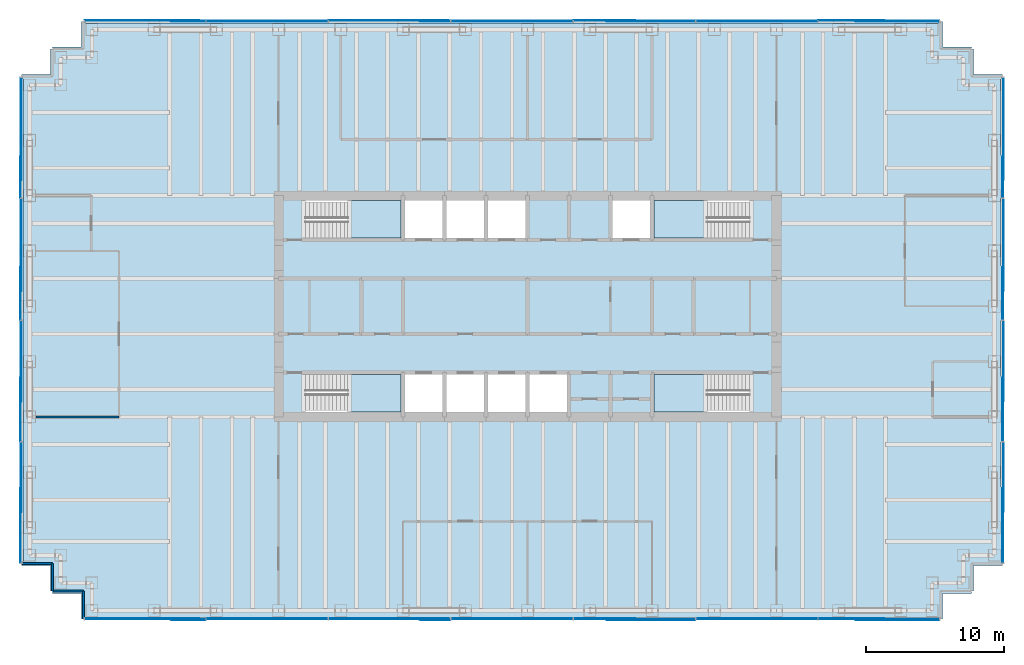
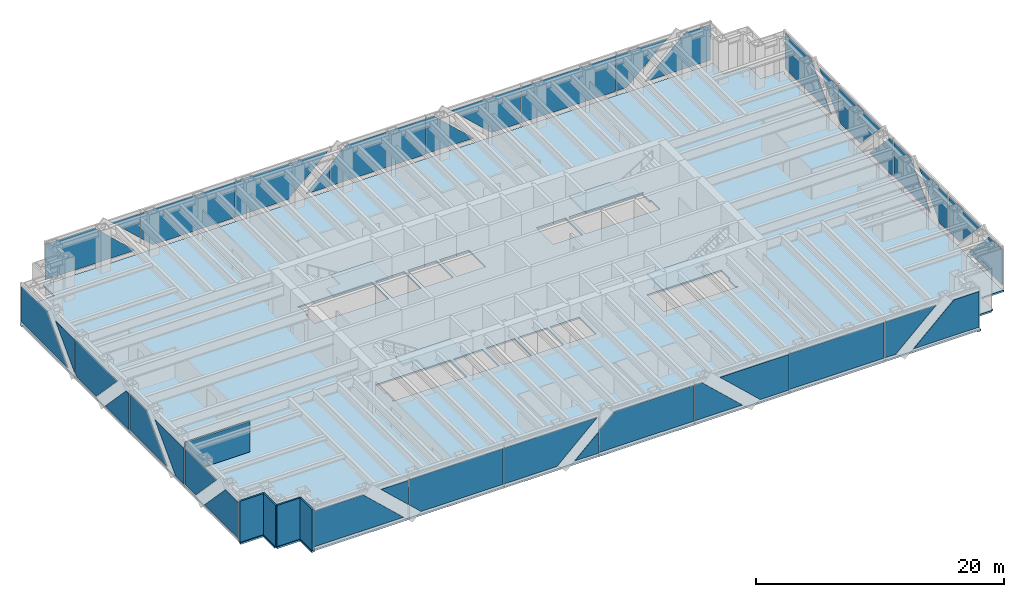
# One storey, part 10 of 15: 38 plates, 5 slabs, 5 walls, 8 elements without a shape of their own.
"""IFC4 building model written with IfcOpenShell, lengths in metres."""

from ifc_helpers import new_model, si_unit, direction, frame, frame_2d, origin, origin_2d, place, context, subcontext, project, spatial, polyline, rectangle, outline, extrude, material, layer, layer_set, type_object, element, aggregate, save


model = new_model("IFC4")

# Units and contexts
model_context = context("Model", 3, precision=1e-05, world=origin(), true_north=direction((0.0, 1.0)))
body_context = subcontext(model_context, "Body", "Model", "MODEL_VIEW")
ifc_project = project(units=[si_unit("LENGTHUNIT", "METRE"), si_unit("AREAUNIT", "SQUARE_METRE"), si_unit("VOLUMEUNIT", "CUBIC_METRE"), si_unit("PLANEANGLEUNIT", "RADIAN"), si_unit("MASSUNIT", "GRAM", prefix="KILO")], contexts=[model_context])

# Site, building, storey
site_placement = place(None, origin())
site = spatial("IfcSite", under=ifc_project, at=site_placement, CompositionType="ELEMENT")
building_placement = place(site_placement, origin())
building = spatial("IfcBuilding", under=site, at=building_placement, Name="Rheinbord Bourse Tower", CompositionType="ELEMENT")
storey_placement = place(building_placement, frame((0.0, 0.0, 325.699951171875)))
storey = spatial("IfcBuildingStorey", under=building, at=storey_placement, Name="L74", CompositionType="ELEMENT", Elevation=325.699951171875)

# Slab
ifc_material_1 = material(Name="Concrete C30/37", Category="concrete")
ifc_layer_1 = layer(ifc_material_1, 0.159912109375)
ifc_layer_set_1 = layer_set([ifc_layer_1], Name="COMPOSITE FLOOR SLAB 160")
slab_type_1 = type_object("IfcSlabType", Name="COMPOSITE FLOOR SLAB 160", PredefinedType="FLOOR", material=ifc_layer_set_1)
slab_1_placement = place(storey_placement, frame((0.0, 0.0, -0.159912109375)))
element("IfcSlab", 1, at=slab_1_placement, inside=storey, type_object=slab_type_1, Name="Floor slab L74", PredefinedType="FLOOR", context=body_context, shape_type="SweptSolid", body=[
    extrude(outline(polyline([(1.64990234375, 3.39990234375), (1.5, 3.39990234375), (1.5, 5.25), (-0.60009765625, 5.25), (-0.60009765625, 5.550048828125), (-0.5, 5.550048828125), (-0.5, 40.449951171875), (-0.60009765625, 40.449951171875), (-0.60009765625, 40.75), (1.5, 40.75), (1.5, 42.60009765625), (1.64990234375, 42.60009765625), (1.64990234375, 42.75), (3.75, 42.75), (3.75, 44.60009765625), (4.050048828125, 44.60009765625), (4.050048828125, 44.5), (65.699951171875, 44.5), (65.699951171875, 44.60009765625), (66.0, 44.60009765625), (66.0, 42.75), (68.10009765625, 42.75), (68.10009765625, 42.60009765625), (68.25, 42.60009765625), (68.25, 40.75), (70.35009765625, 40.75), (70.35009765625, 40.449951171875), (70.25, 40.449951171875), (70.25, 5.550048828125), (70.35009765625, 5.550048828125), (70.35009765625, 5.25), (68.25, 5.25), (68.25, 3.39990234375), (68.10009765625, 3.39990234375), (68.10009765625, 3.25), (66.0, 3.25), (66.0, 1.39990234375), (65.699951171875, 1.39990234375), (65.699951171875, 1.5), (4.050048828125, 1.5), (4.050048828125, 1.39990234375), (3.75, 1.39990234375), (3.75, 3.25), (1.64990234375, 3.25), (1.64990234375, 3.39990234375)]), holes=[polyline([(19.949951171875, 19.050048828125), (26.85009765625, 19.050048828125), (26.85009765625, 16.35009765625), (19.949951171875, 16.35009765625), (19.949951171875, 16.449951171875), (20.10009765625, 16.449951171875), (20.10009765625, 17.64990234375), (19.949951171875, 17.64990234375), (19.949951171875, 19.050048828125)]), polyline([(19.949951171875, 31.64990234375), (26.85009765625, 31.64990234375), (26.85009765625, 28.949951171875), (19.949951171875, 28.949951171875), (19.949951171875, 30.35009765625), (20.10009765625, 30.35009765625), (20.10009765625, 31.550048828125), (19.949951171875, 31.550048828125), (19.949951171875, 31.64990234375)]), polyline([(52.050048828125, 16.35009765625), (45.14990234375, 16.35009765625), (45.14990234375, 19.050048828125), (52.050048828125, 19.050048828125), (52.050048828125, 17.64990234375), (51.89990234375, 17.64990234375), (51.89990234375, 16.449951171875), (52.050048828125, 16.449951171875), (52.050048828125, 16.35009765625)]), polyline([(52.050048828125, 28.949951171875), (45.14990234375, 28.949951171875), (45.14990234375, 31.64990234375), (52.050048828125, 31.64990234375), (52.050048828125, 31.550048828125), (51.89990234375, 31.550048828125), (51.89990234375, 30.35009765625), (52.050048828125, 30.35009765625), (52.050048828125, 28.949951171875)]), polyline([(27.14990234375, 16.35009765625), (27.14990234375, 19.050048828125), (29.85009765625, 19.050048828125), (29.85009765625, 16.35009765625), (27.14990234375, 16.35009765625)]), polyline([(27.14990234375, 28.949951171875), (27.14990234375, 31.64990234375), (29.85009765625, 31.64990234375), (29.85009765625, 28.949951171875), (27.14990234375, 28.949951171875)]), polyline([(30.14990234375, 16.35009765625), (30.14990234375, 19.050048828125), (32.85009765625, 19.050048828125), (32.85009765625, 16.35009765625), (30.14990234375, 16.35009765625)]), polyline([(30.14990234375, 28.949951171875), (30.14990234375, 31.64990234375), (32.85009765625, 31.64990234375), (32.85009765625, 28.949951171875), (30.14990234375, 28.949951171875)]), polyline([(33.14990234375, 16.35009765625), (33.14990234375, 19.050048828125), (35.85009765625, 19.050048828125), (35.85009765625, 16.35009765625), (33.14990234375, 16.35009765625)]), polyline([(33.14990234375, 28.949951171875), (33.14990234375, 31.64990234375), (35.85009765625, 31.64990234375), (35.85009765625, 28.949951171875), (33.14990234375, 28.949951171875)]), polyline([(36.14990234375, 16.35009765625), (36.14990234375, 19.050048828125), (38.85009765625, 19.050048828125), (38.85009765625, 16.35009765625), (36.14990234375, 16.35009765625)]), polyline([(42.14990234375, 28.949951171875), (42.14990234375, 31.64990234375), (44.85009765625, 31.64990234375), (44.85009765625, 28.949951171875), (42.14990234375, 28.949951171875)])]), origin(), (0.0, 0.0, 1.0), 0.159912109375),
])

# Curtain wall, plates
ifc_material_2 = material(Name="Dark glass and black aluminium", Category="aluminium")
curtain_wall_type = type_object("IfcCurtainWallType", Name="CW3 DARK GLASS CURTAIN WALL", PredefinedType="USERDEFINED", material=ifc_material_2)
curtain_wall_1_placement = place(storey_placement, origin())
curtain_wall_1 = element("IfcCurtainWall", 2, at=curtain_wall_1_placement, inside=storey, type_object=curtain_wall_type, Name="Curtain wall CW3 S L74", ObjectType="UNITISED CURTAIN WALL", PredefinedType="USERDEFINED")
ifc_material_3 = material(Name="Dark tinted triple insulating glass", Category="glass")
ifc_layer_2 = layer(ifc_material_3, 0.055908203125)
ifc_layer_set_2 = layer_set([ifc_layer_2], Name="CW3 DARK GLASS PANEL")
plate_type = type_object("IfcPlateType", Name="CW3 DARK GLASS PANEL", PredefinedType="CURTAIN_PANEL", material=ifc_layer_set_2)
plate_1_placement = place(storey_placement, frame((52.574951171875, 1.39990234375, 0.35009765625), z_axis=(0.0, 0.0, 1.0), x_axis=(1.0, 0.0, 0.0)))
plate_1 = element("IfcPlate", 3, at=plate_1_placement, type_object=plate_type, Name="CW3 panel 6.1", PredefinedType="CURTAIN_PANEL", context=body_context, shape_type="SweptSolid", body=[
    extrude(rectangle(XDim=8.784912109375, YDim=0.055908203125, at=origin_2d()), origin(), (0.0, 0.0, 1.0), 3.5),
])
plate_2_placement = place(storey_placement, frame((3.965087890625, 1.3720703125, 0.35009765625), z_axis=(0.0, 1.0, 0.0), x_axis=(0.0, 0.0, 1.0)))
plate_2 = element("IfcPlate", 4, at=plate_2_placement, type_object=plate_type, Name="CW3 glass facet 1", PredefinedType="CURTAIN_PANEL", context=body_context, shape_type="SweptSolid", body=[
    extrude(outline(polyline([(0.0, 0.0), (3.5, 0.0), (3.5, 4.597900390625), (0.0, 8.347900390625), (0.0, 0.0)])), origin(), (0.0, 0.0, 1.0), 0.055908203125),
])
plate_3_placement = place(storey_placement, frame((12.717041015625, 1.31103515625, 3.85009765625), z_axis=(0.0, 1.0, 0.0), x_axis=(0.0, 0.0, -1.0)))
plate_3 = element("IfcPlate", 5, at=plate_3_placement, type_object=plate_type, Name="CW3 glass facet 2", PredefinedType="CURTAIN_PANEL", context=body_context, shape_type="SweptSolid", body=[
    extrude(outline(polyline([(0.0, 0.0), (2.362060546875, 0.0), (0.0, 2.530029296875), (0.0, 0.0)])), origin(), (0.0, 0.0, 1.0), 0.055908203125),
])
plate_4_placement = place(storey_placement, frame((12.782958984375, 1.3720703125, 3.85009765625), z_axis=(0.0, 1.0, 0.0), x_axis=(1.0, 0.0, 0.0)))
plate_4 = element("IfcPlate", 6, at=plate_4_placement, type_object=plate_type, Name="CW3 glass facet 1", PredefinedType="CURTAIN_PANEL", context=body_context, shape_type="SweptSolid", body=[
    extrude(outline(polyline([(0.0, 0.0), (8.783935546875, 0.0), (8.783935546875, 3.5), (1.154052734375, 3.5), (0.0, 2.423095703125), (0.0, 0.0)])), origin(), (0.0, 0.0, 1.0), 0.055908203125),
])
plate_5_placement = place(storey_placement, frame((21.633056640625, 1.3720703125, 0.35009765625), z_axis=(0.0, 1.0, 0.0), x_axis=(0.0, 0.0, 1.0)))
plate_5 = element("IfcPlate", 7, at=plate_5_placement, type_object=plate_type, Name="CW3 glass facet 1", PredefinedType="CURTAIN_PANEL", context=body_context, shape_type="SweptSolid", body=[
    extrude(outline(polyline([(0.0, 0.0), (3.5, 0.0), (3.5, 8.679931640625), (0.0, 4.929931640625), (0.0, 0.0)])), origin(), (0.0, 0.0, 1.0), 0.055908203125),
])
plate_6_placement = place(storey_placement, frame((30.4169921875, 1.31103515625, 0.35009765625), z_axis=(0.0, 1.0, 0.0), x_axis=(-1.0, 0.0, 0.0)))
plate_6 = element("IfcPlate", 8, at=plate_6_placement, type_object=plate_type, Name="CW3 glass facet 2", PredefinedType="CURTAIN_PANEL", context=body_context, shape_type="SweptSolid", body=[
    extrude(outline(polyline([(0.0, 0.0), (2.22998046875, 0.0), (0.0, 2.08203125), (0.0, 0.0)])), origin(), (0.0, 0.0, 1.0), 0.055908203125),
])
plate_7_placement = place(storey_placement, frame((39.26806640625, 1.3720703125, 3.85009765625), z_axis=(0.0, 1.0, 0.0), x_axis=(0.0, 0.0, -1.0)))
plate_7 = element("IfcPlate", 9, at=plate_7_placement, type_object=plate_type, Name="CW3 glass facet 1", PredefinedType="CURTAIN_PANEL", context=body_context, shape_type="SweptSolid", body=[
    extrude(outline(polyline([(0.0, 0.0), (3.5, 0.0), (3.5, 8.7861328125), (1.35693359375, 8.7861328125), (0.0, 7.3310546875), (0.0, 0.0)])), origin(), (0.0, 0.0, 1.0), 0.055908203125),
])
plate_8_placement = place(storey_placement, frame((39.3330078125, 1.3720703125, 0.35009765625), z_axis=(0.0, 1.0, 0.0), x_axis=(0.0, 0.0, 1.0)))
plate_8 = element("IfcPlate", 10, at=plate_8_placement, type_object=plate_type, Name="CW3 glass facet 1", PredefinedType="CURTAIN_PANEL", context=body_context, shape_type="SweptSolid", body=[
    extrude(outline(polyline([(0.0, 0.0), (3.5, 0.0), (3.5, 0.72998046875), (0.0, 4.47998046875), (0.0, 0.0)])), origin(), (0.0, 0.0, 1.0), 0.055908203125),
])
plate_9_placement = place(storey_placement, frame((48.116943359375, 1.31103515625, 3.85009765625), z_axis=(0.0, 1.0, 0.0), x_axis=(0.0, 0.0, -1.0)))
plate_9 = element("IfcPlate", 11, at=plate_9_placement, type_object=plate_type, Name="CW3 glass facet 2", PredefinedType="CURTAIN_PANEL", context=body_context, shape_type="SweptSolid", body=[
    extrude(outline(polyline([(0.0, 0.0), (3.5, 0.0), (3.5, 2.679931640625), (0.0, 6.429931640625), (0.0, 0.0)])), origin(), (0.0, 0.0, 1.0), 0.055908203125),
])
plate_10_placement = place(storey_placement, frame((57.031982421875, 1.3720703125, 0.35009765625), z_axis=(0.0, 1.0, 0.0), x_axis=(0.0, 0.0, 1.0)))
plate_10 = element("IfcPlate", 12, at=plate_10_placement, type_object=plate_type, Name="CW3 glass facet 1", PredefinedType="CURTAIN_PANEL", context=body_context, shape_type="SweptSolid", body=[
    extrude(outline(polyline([(0.0, 0.0), (3.5, 0.0), (3.5, 4.781005859375), (0.0, 1.031005859375), (0.0, 0.0)])), origin(), (0.0, 0.0, 1.0), 0.055908203125),
])
plate_11_placement = place(storey_placement, frame((65.784912109375, 1.31103515625, 3.85009765625), z_axis=(0.0, 1.0, 0.0), x_axis=(0.0, 0.0, -1.0)))
plate_11 = element("IfcPlate", 13, at=plate_11_placement, type_object=plate_type, Name="CW3 glass facet 2", PredefinedType="CURTAIN_PANEL", context=body_context, shape_type="SweptSolid", body=[
    extrude(outline(polyline([(0.0, 0.0), (3.5, 0.0), (3.5, 6.097900390625), (0.0, 2.347900390625), (0.0, 0.0)])), origin(), (0.0, 0.0, 1.0), 0.055908203125),
])
aggregate(curtain_wall_1, [plate_1, plate_2, plate_3, plate_4, plate_5, plate_6, plate_7, plate_8, plate_9, plate_10, plate_11])

curtain_wall_2_placement = place(storey_placement, origin())
curtain_wall_2 = element("IfcCurtainWall", 14, at=curtain_wall_2_placement, inside=storey, type_object=curtain_wall_type, Name="Curtain wall CW3 E L74", ObjectType="UNITISED CURTAIN WALL", PredefinedType="USERDEFINED")
plate_12_placement = place(storey_placement, frame((70.3779296875, 5.465087890625, 0.35009765625), z_axis=(-1.0, 0.0, 0.0), x_axis=(0.0, 0.0, 1.0)))
plate_12 = element("IfcPlate", 15, at=plate_12_placement, type_object=plate_type, Name="CW3 glass facet 1", PredefinedType="CURTAIN_PANEL", context=body_context, shape_type="SweptSolid", body=[
    extrude(outline(polyline([(0.0, 0.0), (3.5, 0.0), (3.5, 2.10302734375), (0.0, 5.43701171875), (0.0, 0.0)])), origin(), (0.0, 0.0, 1.0), 0.055908203125),
])
plate_13_placement = place(storey_placement, frame((70.43896484375, 14.16796875, 3.85009765625), z_axis=(-1.0, 0.0, 0.0), x_axis=(0.0, 0.0, -1.0)))
plate_13 = element("IfcPlate", 16, at=plate_13_placement, type_object=plate_type, Name="CW3 glass facet 2", PredefinedType="CURTAIN_PANEL", context=body_context, shape_type="SweptSolid", body=[
    extrude(outline(polyline([(0.0, 0.0), (3.5, 0.0), (3.5, 1.736083984375), (0.0, 5.070068359375), (0.0, 0.0)])), origin(), (0.0, 0.0, 1.0), 0.055908203125),
])
plate_14_placement = place(storey_placement, frame((70.3779296875, 14.23193359375, 0.35009765625), z_axis=(-1.0, 0.0, 0.0), x_axis=(0.0, 0.0, 1.0)))
plate_14 = element("IfcPlate", 17, at=plate_14_placement, type_object=plate_type, Name="CW3 glass facet 1", PredefinedType="CURTAIN_PANEL", context=body_context, shape_type="SweptSolid", body=[
    extrude(outline(polyline([(0.0, 0.0), (3.5, 0.0), (3.5, 4.670166015625), (0.0, 1.336181640625), (0.0, 0.0)])), origin(), (0.0, 0.0, 1.0), 0.055908203125),
])
plate_15_placement = place(storey_placement, frame((70.43896484375, 22.968017578125, 3.85009765625), z_axis=(-1.0, 0.0, 0.0), x_axis=(0.0, 0.0, -1.0)))
plate_15 = element("IfcPlate", 18, at=plate_15_placement, type_object=plate_type, Name="CW3 glass facet 2", PredefinedType="CURTAIN_PANEL", context=body_context, shape_type="SweptSolid", body=[
    extrude(outline(polyline([(0.0, 0.0), (3.5, 0.0), (3.5, 5.8701171875), (0.0, 2.5361328125), (0.0, 0.0)])), origin(), (0.0, 0.0, 1.0), 0.055908203125),
])
plate_16_placement = place(storey_placement, frame((70.3779296875, 23.031982421875, 0.35009765625), z_axis=(-1.0, 0.0, 0.0), x_axis=(0.0, 0.0, 1.0)))
plate_16 = element("IfcPlate", 19, at=plate_16_placement, type_object=plate_type, Name="CW3 glass facet 1", PredefinedType="CURTAIN_PANEL", context=body_context, shape_type="SweptSolid", body=[
    extrude(outline(polyline([(0.0, 0.0), (3.5, 0.0), (3.5, 0.5361328125), (0.0, 3.8701171875), (0.0, 0.0)])), origin(), (0.0, 0.0, 1.0), 0.055908203125),
])
plate_17_placement = place(storey_placement, frame((70.43896484375, 28.431884765625, 0.35009765625), z_axis=(-1.0, 0.0, 0.0), x_axis=(0.0, -0.689725795081, 0.724070664783)))
plate_17 = element("IfcPlate", 20, at=plate_17_placement, type_object=plate_type, Name="CW3 glass facet 2", PredefinedType="CURTAIN_PANEL", context=body_context, shape_type="SweptSolid", body=[
    extrude(outline(polyline([(0.0, 0.0), (4.833740234375, 0.0), (0.23388671875, 4.828857421875), (-2.149169921875, 2.55908203125), (-2.1630859375, 2.270751953125), (0.0, 0.0)])), origin(), (0.0, 0.0, 1.0), 0.055908203125),
])
plate_18_placement = place(storey_placement, frame((70.3779296875, 31.8330078125, 3.85009765625), z_axis=(-1.0, 0.0, 0.0), x_axis=(0.0, 1.0, 0.0)))
plate_18 = element("IfcPlate", 21, at=plate_18_placement, type_object=plate_type, Name="CW3 glass facet 1", PredefinedType="CURTAIN_PANEL", context=body_context, shape_type="SweptSolid", body=[
    extrude(outline(polyline([(0.0, 0.0), (3.069091796875, 0.0), (0.0, 3.22314453125), (0.0, 0.0)])), origin(), (0.0, 0.0, 1.0), 0.055908203125),
])
plate_19_placement = place(storey_placement, frame((70.43896484375, 40.534912109375, 3.85009765625), z_axis=(-1.0, 0.0, 0.0), x_axis=(0.0, 0.0, -1.0)))
plate_19 = element("IfcPlate", 22, at=plate_19_placement, type_object=plate_type, Name="CW3 glass facet 2", PredefinedType="CURTAIN_PANEL", context=body_context, shape_type="SweptSolid", body=[
    extrude(outline(polyline([(0.0, 0.0), (3.5, 0.0), (3.5, 7.43701171875), (0.0, 4.10302734375), (0.0, 0.0)])), origin(), (0.0, 0.0, 1.0), 0.055908203125),
])
aggregate(curtain_wall_2, [plate_12, plate_13, plate_14, plate_15, plate_16, plate_17, plate_18, plate_19])

curtain_wall_3_placement = place(storey_placement, origin())
curtain_wall_3 = element("IfcCurtainWall", 23, at=curtain_wall_3_placement, inside=storey, type_object=curtain_wall_type, Name="Curtain wall CW3 N L74", ObjectType="UNITISED CURTAIN WALL", PredefinedType="USERDEFINED")
plate_20_placement = place(storey_placement, frame((52.574951171875, 44.60009765625, 0.35009765625), z_axis=(0.0, 0.0, 1.0), x_axis=(-1.0, 0.0, 0.0)))
plate_20 = element("IfcPlate", 24, at=plate_20_placement, type_object=plate_type, Name="CW3 panel 2.1", PredefinedType="CURTAIN_PANEL", context=body_context, shape_type="SweptSolid", body=[
    extrude(rectangle(XDim=8.784912109375, YDim=0.055908203125, at=origin_2d()), origin(), (0.0, 0.0, 1.0), 3.5),
])
plate_21_placement = place(storey_placement, frame((65.784912109375, 44.6279296875, 0.35009765625), z_axis=(0.0, -1.0, 0.0), x_axis=(0.0, 0.0, 1.0)))
plate_21 = element("IfcPlate", 25, at=plate_21_placement, type_object=plate_type, Name="CW3 glass facet 1", PredefinedType="CURTAIN_PANEL", context=body_context, shape_type="SweptSolid", body=[
    extrude(outline(polyline([(0.0, 0.0), (3.5, 0.0), (3.5, 2.347900390625), (0.0, 6.097900390625), (0.0, 0.0)])), origin(), (0.0, 0.0, 1.0), 0.055908203125),
])
plate_22_placement = place(storey_placement, frame((57.031982421875, 44.68896484375, 3.85009765625), z_axis=(0.0, -1.0, 0.0), x_axis=(0.0, 0.0, -1.0)))
plate_22 = element("IfcPlate", 26, at=plate_22_placement, type_object=plate_type, Name="CW3 glass facet 2", PredefinedType="CURTAIN_PANEL", context=body_context, shape_type="SweptSolid", body=[
    extrude(outline(polyline([(0.0, 0.0), (3.5, 0.0), (3.5, 1.031005859375), (0.0, 4.781005859375), (0.0, 0.0)])), origin(), (0.0, 0.0, 1.0), 0.055908203125),
])
plate_23_placement = place(storey_placement, frame((48.116943359375, 44.6279296875, 0.35009765625), z_axis=(0.0, -1.0, 0.0), x_axis=(0.0, 0.0, 1.0)))
plate_23 = element("IfcPlate", 27, at=plate_23_placement, type_object=plate_type, Name="CW3 glass facet 1", PredefinedType="CURTAIN_PANEL", context=body_context, shape_type="SweptSolid", body=[
    extrude(outline(polyline([(0.0, 0.0), (3.5, 0.0), (3.5, 6.429931640625), (0.0, 2.679931640625), (0.0, 0.0)])), origin(), (0.0, 0.0, 1.0), 0.055908203125),
])
plate_24_placement = place(storey_placement, frame((39.33203125, 44.68896484375, 3.85009765625), z_axis=(0.0, -1.0, 0.0), x_axis=(0.0, 0.0, -1.0)))
plate_24 = element("IfcPlate", 28, at=plate_24_placement, type_object=plate_type, Name="CW3 glass facet 2", PredefinedType="CURTAIN_PANEL", context=body_context, shape_type="SweptSolid", body=[
    extrude(outline(polyline([(0.0, 0.0), (3.5, 0.0), (3.5, 4.48095703125), (0.0, 0.73095703125), (0.0, 0.0)])), origin(), (0.0, 0.0, 1.0), 0.055908203125),
])
plate_25_placement = place(storey_placement, frame((30.48291015625, 44.6279296875, 0.35009765625), z_axis=(0.0, -1.0, 0.0), x_axis=(1.0, 0.0, 0.0)))
plate_25 = element("IfcPlate", 29, at=plate_25_placement, type_object=plate_type, Name="CW3 glass facet 1", PredefinedType="CURTAIN_PANEL", context=body_context, shape_type="SweptSolid", body=[
    extrude(outline(polyline([(0.0, 0.0), (8.7841796875, 0.0), (8.7841796875, 3.5), (1.4541015625, 3.5), (0.0, 2.14306640625), (0.0, 0.0)])), origin(), (0.0, 0.0, 1.0), 0.055908203125),
])
plate_26_placement = place(storey_placement, frame((30.4169921875, 44.6279296875, 0.35009765625), z_axis=(0.0, -1.0, 0.0), x_axis=(0.0, 0.0, 1.0)))
plate_26 = element("IfcPlate", 30, at=plate_26_placement, type_object=plate_type, Name="CW3 glass facet 1", PredefinedType="CURTAIN_PANEL", context=body_context, shape_type="SweptSolid", body=[
    extrude(outline(polyline([(0.0, 0.0), (2.08203125, 0.0), (0.0, 2.22998046875), (0.0, 0.0)])), origin(), (0.0, 0.0, 1.0), 0.055908203125),
])
plate_27_placement = place(storey_placement, frame((21.632080078125, 44.68896484375, 3.85009765625), z_axis=(0.0, -1.0, 0.0), x_axis=(0.0, 0.0, -1.0)))
plate_27 = element("IfcPlate", 31, at=plate_27_placement, type_object=plate_type, Name="CW3 glass facet 2", PredefinedType="CURTAIN_PANEL", context=body_context, shape_type="SweptSolid", body=[
    extrude(outline(polyline([(0.0, 0.0), (3.5, 0.0), (3.5, 4.930908203125), (0.0, 8.680908203125), (0.0, 0.0)])), origin(), (0.0, 0.0, 1.0), 0.055908203125),
])
plate_28_placement = place(storey_placement, frame((21.56689453125, 44.6279296875, 0.35009765625), z_axis=(0.0, -1.0, 0.0), x_axis=(0.0, 0.0, 1.0)))
plate_28 = element("IfcPlate", 32, at=plate_28_placement, type_object=plate_type, Name="CW3 glass facet 1", PredefinedType="CURTAIN_PANEL", context=body_context, shape_type="SweptSolid", body=[
    extrude(outline(polyline([(0.0, 0.0), (3.5, 0.0), (3.5, 8.784912109375), (1.076904296875, 8.784912109375), (0.0, 7.6298828125), (0.0, 0.0)])), origin(), (0.0, 0.0, 1.0), 0.055908203125),
])
plate_29_placement = place(storey_placement, frame((12.718017578125, 44.6279296875, 3.85009765625), z_axis=(0.0, -1.0, 0.0), x_axis=(-1.0, 0.0, 0.0)))
plate_29 = element("IfcPlate", 33, at=plate_29_placement, type_object=plate_type, Name="CW3 glass facet 1", PredefinedType="CURTAIN_PANEL", context=body_context, shape_type="SweptSolid", body=[
    extrude(outline(polyline([(0.0, 0.0), (2.531005859375, 0.0), (0.0, 2.362060546875), (0.0, 0.0)])), origin(), (0.0, 0.0, 1.0), 0.055908203125),
])
plate_30_placement = place(storey_placement, frame((3.965087890625, 44.68896484375, 3.85009765625), z_axis=(0.0, -1.0, 0.0), x_axis=(0.0, 0.0, -1.0)))
plate_30 = element("IfcPlate", 34, at=plate_30_placement, type_object=plate_type, Name="CW3 glass facet 2", PredefinedType="CURTAIN_PANEL", context=body_context, shape_type="SweptSolid", body=[
    extrude(outline(polyline([(0.0, 0.0), (3.5, 0.0), (3.5, 8.347900390625), (0.0, 4.597900390625), (0.0, 0.0)])), origin(), (0.0, 0.0, 1.0), 0.055908203125),
])
aggregate(curtain_wall_3, [plate_20, plate_21, plate_22, plate_23, plate_24, plate_25, plate_26, plate_27, plate_28, plate_29, plate_30])

curtain_wall_4_placement = place(storey_placement, origin())
curtain_wall_4 = element("IfcCurtainWall", 35, at=curtain_wall_4_placement, inside=storey, type_object=curtain_wall_type, Name="Curtain wall CW3 W L74", ObjectType="UNITISED CURTAIN WALL", PredefinedType="USERDEFINED")
plate_31_placement = place(storey_placement, frame((-0.6279296875, 40.534912109375, 0.35009765625), z_axis=(1.0, 0.0, 0.0), x_axis=(0.0, 0.0, 1.0)))
plate_31 = element("IfcPlate", 36, at=plate_31_placement, type_object=plate_type, Name="CW3 glass facet 1", PredefinedType="CURTAIN_PANEL", context=body_context, shape_type="SweptSolid", body=[
    extrude(outline(polyline([(0.0, 0.0), (3.5, 0.0), (3.5, 4.10302734375), (0.0, 7.43701171875), (0.0, 0.0)])), origin(), (0.0, 0.0, 1.0), 0.055908203125),
])
plate_32_placement = place(storey_placement, frame((-0.68896484375, 31.8330078125, 3.85009765625), z_axis=(1.0, 0.0, 0.0), x_axis=(0.0, 0.0, -1.0)))
plate_32 = element("IfcPlate", 37, at=plate_32_placement, type_object=plate_type, Name="CW3 glass facet 2", PredefinedType="CURTAIN_PANEL", context=body_context, shape_type="SweptSolid", body=[
    extrude(outline(polyline([(0.0, 0.0), (3.22314453125, 0.0), (0.0, 3.069091796875), (0.0, 0.0)])), origin(), (0.0, 0.0, 1.0), 0.055908203125),
])
plate_33_placement = place(storey_placement, frame((-0.6279296875, 31.568115234375, 0.35009765625), z_axis=(1.0, 0.0, 0.0), x_axis=(0.0, 0.689549531699, 0.724238526546)))
plate_33 = element("IfcPlate", 38, at=plate_33_placement, type_object=plate_type, Name="CW3 glass facet 1", PredefinedType="CURTAIN_PANEL", context=body_context, shape_type="SweptSolid", body=[
    extrude(outline(polyline([(0.0, 0.0), (0.28857421875, 0.0), (2.672119140625, 2.269287109375), (-1.9267578125, 7.099365234375), (-2.16259765625, 2.271484375), (0.0, 0.0)])), origin(), (0.0, 0.0, 1.0), 0.055908203125),
])
plate_34_placement = place(storey_placement, frame((-0.68896484375, 23.031982421875, 3.85009765625), z_axis=(1.0, 0.0, 0.0), x_axis=(0.0, 0.0, -1.0)))
plate_34 = element("IfcPlate", 39, at=plate_34_placement, type_object=plate_type, Name="CW3 glass facet 2", PredefinedType="CURTAIN_PANEL", context=body_context, shape_type="SweptSolid", body=[
    extrude(outline(polyline([(0.0, 0.0), (3.5, 0.0), (3.5, 3.8701171875), (0.0, 0.5361328125), (0.0, 0.0)])), origin(), (0.0, 0.0, 1.0), 0.055908203125),
])
plate_35_placement = place(storey_placement, frame((-0.6279296875, 22.968017578125, 0.35009765625), z_axis=(1.0, 0.0, 0.0), x_axis=(0.0, 0.0, 1.0)))
plate_35 = element("IfcPlate", 40, at=plate_35_placement, type_object=plate_type, Name="CW3 glass facet 1", PredefinedType="CURTAIN_PANEL", context=body_context, shape_type="SweptSolid", body=[
    extrude(outline(polyline([(0.0, 0.0), (3.5, 0.0), (3.5, 2.5361328125), (0.0, 5.8701171875), (0.0, 0.0)])), origin(), (0.0, 0.0, 1.0), 0.055908203125),
])
plate_36_placement = place(storey_placement, frame((-0.68896484375, 14.23291015625, 3.85009765625), z_axis=(1.0, 0.0, 0.0), x_axis=(0.0, 0.0, -1.0)))
plate_36 = element("IfcPlate", 41, at=plate_36_placement, type_object=plate_type, Name="CW3 glass facet 2", PredefinedType="CURTAIN_PANEL", context=body_context, shape_type="SweptSolid", body=[
    extrude(outline(polyline([(0.0, 0.0), (3.5, 0.0), (3.5, 1.335205078125), (0.0, 4.669189453125), (0.0, 0.0)])), origin(), (0.0, 0.0, 1.0), 0.055908203125),
])
plate_37_placement = place(storey_placement, frame((-0.6279296875, 14.1669921875, 0.35009765625), z_axis=(1.0, 0.0, 0.0), x_axis=(0.0, 0.0, 1.0)))
plate_37 = element("IfcPlate", 42, at=plate_37_placement, type_object=plate_type, Name="CW3 glass facet 1", PredefinedType="CURTAIN_PANEL", context=body_context, shape_type="SweptSolid", body=[
    extrude(outline(polyline([(0.0, 0.0), (3.5, 0.0), (3.5, 5.069091796875), (0.0, 1.735107421875), (0.0, 0.0)])), origin(), (0.0, 0.0, 1.0), 0.055908203125),
])
plate_38_placement = place(storey_placement, frame((-0.68896484375, 5.465087890625, 3.85009765625), z_axis=(1.0, 0.0, 0.0), x_axis=(0.0, 0.0, -1.0)))
plate_38 = element("IfcPlate", 43, at=plate_38_placement, type_object=plate_type, Name="CW3 glass facet 2", PredefinedType="CURTAIN_PANEL", context=body_context, shape_type="SweptSolid", body=[
    extrude(outline(polyline([(0.0, 0.0), (3.5, 0.0), (3.5, 5.43701171875), (0.0, 2.10302734375), (0.0, 0.0)])), origin(), (0.0, 0.0, 1.0), 0.055908203125),
])
aggregate(curtain_wall_4, [plate_31, plate_32, plate_33, plate_34, plate_35, plate_36, plate_37, plate_38])

# Stair, slab
ifc_material_4 = material(Name="Concrete C30/37", Category="concrete")
stair_type = type_object("IfcStairType", Name="CORE STAIR HALF TURN 4200", PredefinedType="HALF_TURN_STAIR", material=ifc_material_4)
stair_1_placement = place(storey_placement, origin())
stair_1 = element("IfcStair", 44, at=stair_1_placement, inside=storey, type_object=stair_type, Name="Stair ST1 L74, type CS6", PredefinedType="HALF_TURN_STAIR")
ifc_material_5 = material(Name="Concrete C30/37", Category="concrete")
ifc_layer_3 = layer(ifc_material_5, 0.199951171875)
ifc_layer_set_3 = layer_set([ifc_layer_3], Name="STAIR LANDING 200")
slab_type_2 = type_object("IfcSlabType", Name="STAIR LANDING 200", PredefinedType="LANDING", material=ifc_layer_set_3)
slab_2_placement = place(storey_placement, frame((0.0, 0.0, 1.900146484375)))
slab_2 = element("IfcSlab", 45, at=slab_2_placement, type_object=slab_type_2, Name="Half landing ST1 L74", PredefinedType="LANDING", context=body_context, shape_type="SweptSolid", body=[
    extrude(outline(polyline([(23.030029296875, 16.35009765625), (26.85009765625, 16.35009765625), (26.85009765625, 19.050048828125), (21.748046875, 19.050048828125), (21.748046875, 17.85009765625), (23.030029296875, 17.85009765625), (23.030029296875, 16.35009765625)])), origin(), (0.0, 0.0, 1.0), 0.199951171875),
])
aggregate(stair_1, [slab_2])

stair_2_placement = place(storey_placement, origin())
stair_2 = element("IfcStair", 46, at=stair_2_placement, inside=storey, type_object=stair_type, Name="Stair ST2 L74, type CS6", PredefinedType="HALF_TURN_STAIR")
slab_3_placement = place(storey_placement, frame((0.0, 0.0, 1.900146484375)))
slab_3 = element("IfcSlab", 47, at=slab_3_placement, type_object=slab_type_2, Name="Half landing ST2 L74", PredefinedType="LANDING", context=body_context, shape_type="SweptSolid", body=[
    extrude(outline(polyline([(21.748046875, 28.949951171875), (26.85009765625, 28.949951171875), (26.85009765625, 31.64990234375), (23.030029296875, 31.64990234375), (23.030029296875, 30.14990234375), (21.748046875, 30.14990234375), (21.748046875, 28.949951171875)])), origin(), (0.0, 0.0, 1.0), 0.199951171875),
])
aggregate(stair_2, [slab_3])

stair_3_placement = place(storey_placement, origin())
stair_3 = element("IfcStair", 48, at=stair_3_placement, inside=storey, type_object=stair_type, Name="Stair ST3 L74, type CS6", PredefinedType="HALF_TURN_STAIR")
slab_4_placement = place(storey_placement, frame((0.0, 0.0, 1.900146484375)))
slab_4 = element("IfcSlab", 49, at=slab_4_placement, type_object=slab_type_2, Name="Half landing ST3 L74", PredefinedType="LANDING", context=body_context, shape_type="SweptSolid", body=[
    extrude(outline(polyline([(45.14990234375, 16.35009765625), (48.969970703125, 16.35009765625), (48.969970703125, 17.85009765625), (50.251953125, 17.85009765625), (50.251953125, 19.050048828125), (45.14990234375, 19.050048828125), (45.14990234375, 16.35009765625)])), origin(), (0.0, 0.0, 1.0), 0.199951171875),
])
aggregate(stair_3, [slab_4])

stair_4_placement = place(storey_placement, origin())
stair_4 = element("IfcStair", 50, at=stair_4_placement, inside=storey, type_object=stair_type, Name="Stair ST4 L74, type CS6", PredefinedType="HALF_TURN_STAIR")
slab_5_placement = place(storey_placement, frame((0.0, 0.0, 1.900146484375)))
slab_5 = element("IfcSlab", 51, at=slab_5_placement, type_object=slab_type_2, Name="Half landing ST4 L74", PredefinedType="LANDING", context=body_context, shape_type="SweptSolid", body=[
    extrude(outline(polyline([(45.14990234375, 28.949951171875), (50.251953125, 28.949951171875), (50.251953125, 30.14990234375), (48.969970703125, 30.14990234375), (48.969970703125, 31.64990234375), (45.14990234375, 31.64990234375), (45.14990234375, 28.949951171875)])), origin(), (0.0, 0.0, 1.0), 0.199951171875),
])
aggregate(stair_4, [slab_5])

# Walls
ifc_material_6 = material(Name="Black metal rainscreen panel", Category="aluminium")
ifc_layer_4 = layer(ifc_material_6, 0.14990234375)
ifc_layer_set_4 = layer_set([ifc_layer_4], Name="CORNER PIER CLADDING 150")
wall_type_1 = type_object("IfcWallType", Name="CORNER PIER CLADDING 150", PredefinedType="ELEMENTEDWALL", material=ifc_layer_set_4)
wall_1_placement = place(storey_placement, frame((-0.60009765625, 5.39990234375, 0.0), z_axis=(0.0, 0.0, 1.0), x_axis=(1.0, 0.0, 0.0)))
element("IfcWall", 52, at=wall_1_placement, inside=storey, type_object=wall_type_1, Name="Corner pier cladding L74 17", PredefinedType="ELEMENTEDWALL", context=body_context, shape_type="SweptSolid", body=[
    extrude(rectangle(XDim=2.25, YDim=0.14990234375, at=frame_2d((1.125, 0.0))), origin(), (0.0, 0.0, 1.0), 4.0400390625),
])
wall_2_placement = place(storey_placement, frame((1.64990234375, 5.39990234375, 0.0), z_axis=(0.0, 0.0, 1.0), x_axis=(0.0, -1.0, 0.0)))
element("IfcWall", 53, at=wall_2_placement, inside=storey, type_object=wall_type_1, Name="Corner pier cladding L74 18", PredefinedType="ELEMENTEDWALL", context=body_context, shape_type="SweptSolid", body=[
    extrude(rectangle(XDim=2.0, YDim=0.14990234375, at=frame_2d((1.0, 0.0))), origin(), (0.0, 0.0, 1.0), 4.0400390625),
])
wall_3_placement = place(storey_placement, frame((1.64990234375, 3.39990234375, 0.0), z_axis=(0.0, 0.0, 1.0), x_axis=(1.0, 0.0, 0.0)))
element("IfcWall", 54, at=wall_3_placement, inside=storey, type_object=wall_type_1, Name="Corner pier cladding L74 19", PredefinedType="ELEMENTEDWALL", context=body_context, shape_type="SweptSolid", body=[
    extrude(rectangle(XDim=2.25, YDim=0.14990234375, at=frame_2d((1.125, 0.0))), origin(), (0.0, 0.0, 1.0), 4.0400390625),
])
wall_4_placement = place(storey_placement, frame((3.89990234375, 3.39990234375, 0.0), z_axis=(0.0, 0.0, 1.0), x_axis=(0.0, -1.0, 0.0)))
element("IfcWall", 55, at=wall_4_placement, inside=storey, type_object=wall_type_1, Name="Corner pier cladding L74 20", PredefinedType="ELEMENTEDWALL", context=body_context, shape_type="SweptSolid", body=[
    extrude(rectangle(XDim=2.0, YDim=0.14990234375, at=frame_2d((1.0, 0.0))), origin(), (0.0, 0.0, 1.0), 4.0400390625),
])
ifc_material_7 = material(Name="Gypsum board partition", Category="gypsum board")
ifc_layer_5 = layer(ifc_material_7, 0.14990234375)
ifc_layer_set_5 = layer_set([ifc_layer_5], Name="PARTITION 150")
wall_type_2 = type_object("IfcWallType", Name="PARTITION 150", PredefinedType="PARTITIONING", material=ifc_layer_set_5)
wall_5_placement = place(storey_placement, frame((0.449951171875, 16.0, 0.0), z_axis=(0.0, 0.0, 1.0), x_axis=(1.0, 0.0, 0.0)))
element("IfcWall", 56, at=wall_5_placement, inside=storey, type_object=wall_type_2, Name="Partition L74-02", PredefinedType="PARTITIONING", context=body_context, shape_type="SweptSolid", body=[
    extrude(rectangle(XDim=6.0, YDim=0.14990234375, at=frame_2d((3.0, 0.0))), origin(), (0.0, 0.0, 1.0), 3.0),
])

save(model, "model.ifc")
